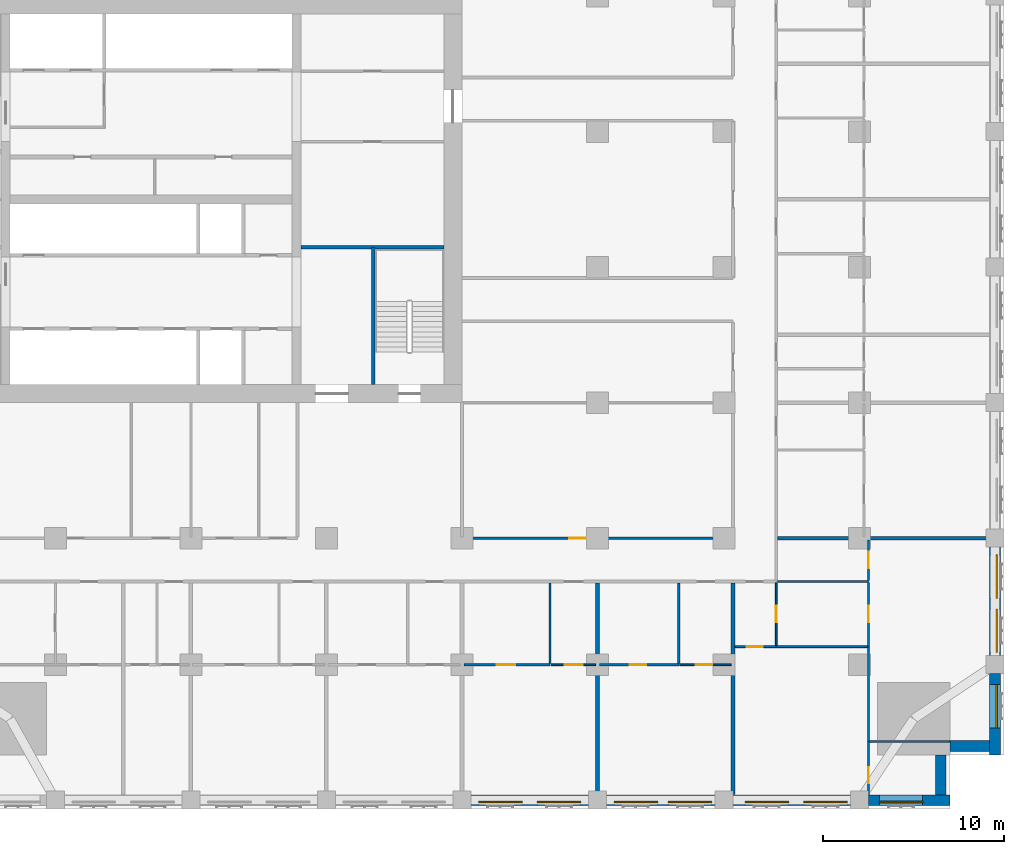
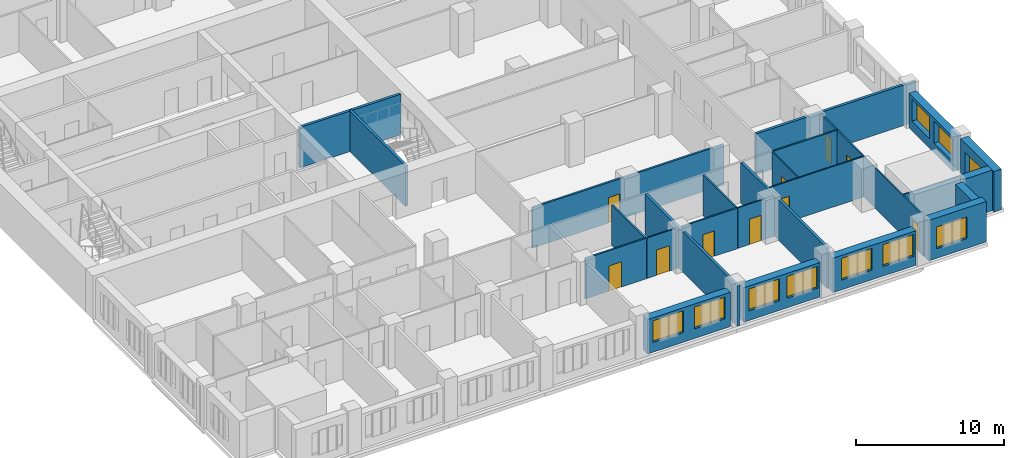
# One storey, part 6 of 14: 26 walls, 10 doors, 10 windows, 20 openings.
"""IFC4 building model written with IfcOpenShell, lengths in metres."""

from ifc_helpers import new_model, si_unit, direction, frame, frame_2d, origin, place, context, subcontext, project, spatial, rectangle, extrude, material, layer, layer_set, type_object, element, fill, save


model = new_model("IFC4")

# Units and contexts
model_context = context("Model", 3, precision=1e-05, world=origin(), true_north=direction((0.0, 1.0)))
body_context = subcontext(model_context, "Body", "Model", "MODEL_VIEW")
ifc_project = project(units=[si_unit("LENGTHUNIT", "METRE"), si_unit("AREAUNIT", "SQUARE_METRE"), si_unit("VOLUMEUNIT", "CUBIC_METRE"), si_unit("PLANEANGLEUNIT", "RADIAN"), si_unit("MASSUNIT", "GRAM", prefix="KILO")], contexts=[model_context])

# Site, building, storey
site_placement = place(None, origin())
site = spatial("IfcSite", under=ifc_project, at=site_placement, CompositionType="ELEMENT")
building_placement = place(site_placement, origin())
building = spatial("IfcBuilding", under=site, at=building_placement, Name="Tamorin Gate", CompositionType="ELEMENT")
storey_placement = place(building_placement, frame((0.0, 0.0, 59.199951171875)))
storey = spatial("IfcBuildingStorey", under=building, at=storey_placement, Name="L13", CompositionType="ELEMENT", Elevation=59.199951171875)

# Wall, openings, windows
ifc_material_1 = material(Name="Precast concrete C40/50", Category="concrete")
ifc_layer_1 = layer(ifc_material_1, 0.60009765625)
ifc_layer_set_1 = layer_set([ifc_layer_1], Name="Precast concrete C40/50")
wall_type_1 = type_object("IfcWallType", Name="Board-marked concrete facade panel 600", PredefinedType="SOLIDWALL", material=ifc_layer_set_1)
wall_1_placement = place(storey_placement, frame((60.5, 38.0, 0.0), z_axis=(0.0, 0.0, 1.0), x_axis=(1.0, 0.0, 0.0)))
wall_1 = element("IfcWall", 1, at=wall_1_placement, inside=storey, type_object=wall_type_1, Name="Facade panel", PredefinedType="SOLIDWALL", context=body_context, shape_type="SweptSolid", body=[
    extrude(rectangle(XDim=6.5, YDim=0.60009765625, at=frame_2d((3.25, 0.0))), origin(), (0.0, 0.0, 1.0), 2.85009765625),
])
opening_1_placement = place(wall_1_placement, frame((0.425048828125, 0.0, 0.800048828125)))
opening_1 = element("IfcOpeningElement", 2, at=opening_1_placement, cuts=wall_1, Name="Opening WN1", PredefinedType="OPENING", context=body_context, shape_type="SweptSolid", body=[
    extrude(rectangle(XDim=2.39990234375, YDim=1.800048828125, at=frame_2d((1.199951171875, 0.89990234375))), frame((0.0, 0.31005859375, 0.0), z_axis=(0.0, -1.0, 0.0), x_axis=(1.0, 0.0, 0.0)), (0.0, 0.0, 1.0), 0.6201171875),
])
opening_2_placement = place(wall_1_placement, frame((3.675048828125, 0.0, 0.800048828125)))
opening_2 = element("IfcOpeningElement", 3, at=opening_2_placement, cuts=wall_1, Name="Opening WN1", PredefinedType="OPENING", context=body_context, shape_type="SweptSolid", body=[
    extrude(rectangle(XDim=2.39990234375, YDim=1.800048828125, at=frame_2d((1.199951171875, 0.89990234375))), frame((0.0, 0.31005859375, 0.0), z_axis=(0.0, -1.0, 0.0), x_axis=(1.0, 0.0, 0.0)), (0.0, 0.0, 1.0), 0.6201171875),
])
ifc_material_2 = material(Name="Clear glass in aluminium frame", Category="aluminium")
window_type = type_object("IfcWindowType", Name="Deep-set window 2400x1800", PartitioningType="SINGLE_PANEL", PredefinedType="WINDOW", material=ifc_material_2)
window_1_placement = place(opening_1_placement, origin())
window_1 = element("IfcWindow", 4, at=window_1_placement, inside=storey, type_object=window_type, Name="Deep-set window", OverallHeight=1.800048828125, OverallWidth=2.39990234375, PartitioningType="SINGLE_PANEL", PredefinedType="WINDOW", context=body_context, shape_type="SweptSolid", body=[
    extrude(rectangle(XDim=2.39990234375, YDim=1.800048828125, at=frame_2d((1.199951171875, 0.89990234375))), frame((0.0, -0.070068359375, 0.0), z_axis=(0.0, -1.0, 0.0), x_axis=(1.0, 0.0, 0.0)), (0.0, 0.0, 1.0), 0.06005859375),
])
fill(opening_1, window_1)
window_2_placement = place(opening_2_placement, origin())
window_2 = element("IfcWindow", 5, at=window_2_placement, inside=storey, type_object=window_type, Name="Deep-set window", OverallHeight=1.800048828125, OverallWidth=2.39990234375, PartitioningType="SINGLE_PANEL", PredefinedType="WINDOW", context=body_context, shape_type="SweptSolid", body=[
    extrude(rectangle(XDim=2.39990234375, YDim=1.800048828125, at=frame_2d((1.199951171875, 0.89990234375))), frame((0.0, -0.070068359375, 0.0), z_axis=(0.0, -1.0, 0.0), x_axis=(1.0, 0.0, 0.0)), (0.0, 0.0, 1.0), 0.06005859375),
])
fill(opening_2, window_2)

wall_2_placement = place(storey_placement, frame((68.0, 38.0, 0.0), z_axis=(0.0, 0.0, 1.0), x_axis=(1.0, 0.0, 0.0)))
wall_2 = element("IfcWall", 6, at=wall_2_placement, inside=storey, type_object=wall_type_1, Name="Facade panel", PredefinedType="SOLIDWALL", context=body_context, shape_type="SweptSolid", body=[
    extrude(rectangle(XDim=6.0, YDim=0.60009765625, at=frame_2d((3.0, 0.0))), origin(), (0.0, 0.0, 1.0), 2.85009765625),
])
opening_3_placement = place(wall_2_placement, frame((0.425048828125, 0.0, 0.800048828125)))
opening_3 = element("IfcOpeningElement", 7, at=opening_3_placement, cuts=wall_2, Name="Opening WN1", PredefinedType="OPENING", context=body_context, shape_type="SweptSolid", body=[
    extrude(rectangle(XDim=2.39990234375, YDim=1.800048828125, at=frame_2d((1.199951171875, 0.89990234375))), frame((0.0, 0.31005859375, 0.0), z_axis=(0.0, -1.0, 0.0), x_axis=(1.0, 0.0, 0.0)), (0.0, 0.0, 1.0), 0.6201171875),
])
opening_4_placement = place(wall_2_placement, frame((3.425048828125, 0.0, 0.800048828125)))
opening_4 = element("IfcOpeningElement", 8, at=opening_4_placement, cuts=wall_2, Name="Opening WN1", PredefinedType="OPENING", context=body_context, shape_type="SweptSolid", body=[
    extrude(rectangle(XDim=2.39990234375, YDim=1.800048828125, at=frame_2d((1.199951171875, 0.89990234375))), frame((0.0, 0.31005859375, 0.0), z_axis=(0.0, -1.0, 0.0), x_axis=(1.0, 0.0, 0.0)), (0.0, 0.0, 1.0), 0.6201171875),
])
window_3_placement = place(opening_3_placement, origin())
window_3 = element("IfcWindow", 9, at=window_3_placement, inside=storey, type_object=window_type, Name="Deep-set window", OverallHeight=1.800048828125, OverallWidth=2.39990234375, PartitioningType="SINGLE_PANEL", PredefinedType="WINDOW", context=body_context, shape_type="SweptSolid", body=[
    extrude(rectangle(XDim=2.39990234375, YDim=1.800048828125, at=frame_2d((1.199951171875, 0.89990234375))), frame((0.0, -0.070068359375, 0.0), z_axis=(0.0, -1.0, 0.0), x_axis=(1.0, 0.0, 0.0)), (0.0, 0.0, 1.0), 0.06005859375),
])
fill(opening_3, window_3)
window_4_placement = place(opening_4_placement, origin())
window_4 = element("IfcWindow", 10, at=window_4_placement, inside=storey, type_object=window_type, Name="Deep-set window", OverallHeight=1.800048828125, OverallWidth=2.39990234375, PartitioningType="SINGLE_PANEL", PredefinedType="WINDOW", context=body_context, shape_type="SweptSolid", body=[
    extrude(rectangle(XDim=2.39990234375, YDim=1.800048828125, at=frame_2d((1.199951171875, 0.89990234375))), frame((0.0, -0.070068359375, 0.0), z_axis=(0.0, -1.0, 0.0), x_axis=(1.0, 0.0, 0.0)), (0.0, 0.0, 1.0), 0.06005859375),
])
fill(opening_4, window_4)

wall_3_placement = place(storey_placement, frame((75.0, 38.0, 0.0), z_axis=(0.0, 0.0, 1.0), x_axis=(1.0, 0.0, 0.0)))
wall_3 = element("IfcWall", 11, at=wall_3_placement, inside=storey, type_object=wall_type_1, Name="Facade panel", PredefinedType="SOLIDWALL", context=body_context, shape_type="SweptSolid", body=[
    extrude(rectangle(XDim=6.5, YDim=0.60009765625, at=frame_2d((3.25, 0.0))), origin(), (0.0, 0.0, 1.0), 2.85009765625),
])
opening_5_placement = place(wall_3_placement, frame((0.675048828125, 0.0, 0.800048828125)))
opening_5 = element("IfcOpeningElement", 12, at=opening_5_placement, cuts=wall_3, Name="Opening WN1", PredefinedType="OPENING", context=body_context, shape_type="SweptSolid", body=[
    extrude(rectangle(XDim=2.39990234375, YDim=1.800048828125, at=frame_2d((1.199951171875, 0.89990234375))), frame((0.0, 0.31005859375, 0.0), z_axis=(0.0, -1.0, 0.0), x_axis=(1.0, 0.0, 0.0)), (0.0, 0.0, 1.0), 0.6201171875),
])
opening_6_placement = place(wall_3_placement, frame((3.925048828125, 0.0, 0.800048828125)))
opening_6 = element("IfcOpeningElement", 13, at=opening_6_placement, cuts=wall_3, Name="Opening WN1", PredefinedType="OPENING", context=body_context, shape_type="SweptSolid", body=[
    extrude(rectangle(XDim=2.39990234375, YDim=1.800048828125, at=frame_2d((1.199951171875, 0.89990234375))), frame((0.0, 0.31005859375, 0.0), z_axis=(0.0, -1.0, 0.0), x_axis=(1.0, 0.0, 0.0)), (0.0, 0.0, 1.0), 0.6201171875),
])
window_5_placement = place(opening_5_placement, origin())
window_5 = element("IfcWindow", 14, at=window_5_placement, inside=storey, type_object=window_type, Name="Deep-set window", OverallHeight=1.800048828125, OverallWidth=2.39990234375, PartitioningType="SINGLE_PANEL", PredefinedType="WINDOW", context=body_context, shape_type="SweptSolid", body=[
    extrude(rectangle(XDim=2.39990234375, YDim=1.800048828125, at=frame_2d((1.199951171875, 0.89990234375))), frame((0.0, -0.070068359375, 0.0), z_axis=(0.0, -1.0, 0.0), x_axis=(1.0, 0.0, 0.0)), (0.0, 0.0, 1.0), 0.06005859375),
])
fill(opening_5, window_5)
window_6_placement = place(opening_6_placement, origin())
window_6 = element("IfcWindow", 15, at=window_6_placement, inside=storey, type_object=window_type, Name="Deep-set window", OverallHeight=1.800048828125, OverallWidth=2.39990234375, PartitioningType="SINGLE_PANEL", PredefinedType="WINDOW", context=body_context, shape_type="SweptSolid", body=[
    extrude(rectangle(XDim=2.39990234375, YDim=1.800048828125, at=frame_2d((1.199951171875, 0.89990234375))), frame((0.0, -0.070068359375, 0.0), z_axis=(0.0, -1.0, 0.0), x_axis=(1.0, 0.0, 0.0)), (0.0, 0.0, 1.0), 0.06005859375),
])
fill(opening_6, window_6)

# Wall, opening, window
wall_4_placement = place(storey_placement, frame((82.5, 38.0, 0.0), z_axis=(0.0, 0.0, 1.0), x_axis=(1.0, 0.0, 0.0)))
wall_4 = element("IfcWall", 16, at=wall_4_placement, inside=storey, type_object=wall_type_1, Name="Facade panel", PredefinedType="SOLIDWALL", context=body_context, shape_type="SweptSolid", body=[
    extrude(rectangle(XDim=4.5, YDim=0.60009765625, at=frame_2d((2.25, 0.0))), origin(), (0.0, 0.0, 1.0), 3.35009765625),
])
opening_7_placement = place(wall_4_placement, frame((0.60009765625, 0.0, 0.800048828125)))
opening_7 = element("IfcOpeningElement", 17, at=opening_7_placement, cuts=wall_4, Name="Opening WN1", PredefinedType="OPENING", context=body_context, shape_type="SweptSolid", body=[
    extrude(rectangle(XDim=2.39990234375, YDim=1.800048828125, at=frame_2d((1.199951171875, 0.89990234375))), frame((0.0, 0.31005859375, 0.0), z_axis=(0.0, -1.0, 0.0), x_axis=(1.0, 0.0, 0.0)), (0.0, 0.0, 1.0), 0.6201171875),
])
window_7_placement = place(opening_7_placement, origin())
window_7 = element("IfcWindow", 18, at=window_7_placement, inside=storey, type_object=window_type, Name="Deep-set window", OverallHeight=1.800048828125, OverallWidth=2.39990234375, PartitioningType="SINGLE_PANEL", PredefinedType="WINDOW", context=body_context, shape_type="SweptSolid", body=[
    extrude(rectangle(XDim=2.39990234375, YDim=1.800048828125, at=frame_2d((1.199951171875, 0.89990234375))), frame((0.0, -0.070068359375, 0.0), z_axis=(0.0, -1.0, 0.0), x_axis=(1.0, 0.0, 0.0)), (0.0, 0.0, 1.0), 0.06005859375),
])
fill(opening_7, window_7)

# Walls
for number, where, z_axis, x_axis, name in (
    (19, (86.5, 38.300048828125, 0.0), (0.0, 0.0, 1.0), (0.0, 1.0, 0.0), "Facade panel"),
    (20, (87.0, 41.0, 0.0), (0.0, 0.0, 1.0), (1.0, 0.0, 0.0), "Facade panel"),
):
    element("IfcWall", number, at=place(storey_placement, frame(where, z_axis=z_axis, x_axis=x_axis)), inside=storey, type_object=wall_type_1, Name=name, PredefinedType="SOLIDWALL", context=body_context, shape_type="SweptSolid", body=[
        extrude(rectangle(XDim=2.199951171875, YDim=0.60009765625, at=frame_2d((1.10009765625, 0.0))), origin(), (0.0, 0.0, 1.0), 3.35009765625),
    ])

# Wall, opening, window
wall_5_placement = place(storey_placement, frame((89.5, 40.5, 0.0), z_axis=(0.0, 0.0, 1.0), x_axis=(0.0, 1.0, 0.0)))
wall_5 = element("IfcWall", 21, at=wall_5_placement, inside=storey, type_object=wall_type_1, Name="Facade panel", PredefinedType="SOLIDWALL", context=body_context, shape_type="SweptSolid", body=[
    extrude(rectangle(XDim=4.5, YDim=0.60009765625, at=frame_2d((2.25, 0.0))), origin(), (0.0, 0.0, 1.0), 3.35009765625),
])
opening_8_placement = place(wall_5_placement, frame((1.5, 0.0, 0.800048828125)))
opening_8 = element("IfcOpeningElement", 22, at=opening_8_placement, cuts=wall_5, Name="Opening WN1", PredefinedType="OPENING", context=body_context, shape_type="SweptSolid", body=[
    extrude(rectangle(XDim=2.39990234375, YDim=1.800048828125, at=frame_2d((1.199951171875, 0.89990234375))), frame((0.0, 0.31005859375, 0.0), z_axis=(0.0, -1.0, 0.0), x_axis=(1.0, 0.0, 0.0)), (0.0, 0.0, 1.0), 0.6201171875),
])
window_8_placement = place(opening_8_placement, origin())
window_8 = element("IfcWindow", 23, at=window_8_placement, inside=storey, type_object=window_type, Name="Deep-set window", OverallHeight=1.800048828125, OverallWidth=2.39990234375, PartitioningType="SINGLE_PANEL", PredefinedType="WINDOW", context=body_context, shape_type="SweptSolid", body=[
    extrude(rectangle(XDim=2.39990234375, YDim=1.800048828125, at=frame_2d((1.199951171875, 0.89990234375))), frame((0.0, -0.070068359375, 0.0), z_axis=(0.0, -1.0, 0.0), x_axis=(1.0, 0.0, 0.0)), (0.0, 0.0, 1.0), 0.06005859375),
])
fill(opening_8, window_8)

# Wall, openings, windows
wall_6_placement = place(storey_placement, frame((89.5, 46.0, 0.0), z_axis=(0.0, 0.0, 1.0), x_axis=(0.0, 1.0, 0.0)))
wall_6 = element("IfcWall", 24, at=wall_6_placement, inside=storey, type_object=wall_type_1, Name="Facade panel", PredefinedType="SOLIDWALL", context=body_context, shape_type="SweptSolid", body=[
    extrude(rectangle(XDim=6.0, YDim=0.60009765625, at=frame_2d((3.0, 0.0))), origin(), (0.0, 0.0, 1.0), 2.85009765625),
])
opening_9_placement = place(wall_6_placement, frame((0.175048828125, 0.0, 0.800048828125)))
opening_9 = element("IfcOpeningElement", 25, at=opening_9_placement, cuts=wall_6, Name="Opening WN1", PredefinedType="OPENING", context=body_context, shape_type="SweptSolid", body=[
    extrude(rectangle(XDim=2.39990234375, YDim=1.800048828125, at=frame_2d((1.199951171875, 0.89990234375))), frame((0.0, 0.31005859375, 0.0), z_axis=(0.0, -1.0, 0.0), x_axis=(1.0, 0.0, 0.0)), (0.0, 0.0, 1.0), 0.6201171875),
])
opening_10_placement = place(wall_6_placement, frame((3.175048828125, 0.0, 0.800048828125)))
opening_10 = element("IfcOpeningElement", 26, at=opening_10_placement, cuts=wall_6, Name="Opening WN1", PredefinedType="OPENING", context=body_context, shape_type="SweptSolid", body=[
    extrude(rectangle(XDim=2.39990234375, YDim=1.800048828125, at=frame_2d((1.199951171875, 0.89990234375))), frame((0.0, 0.31005859375, 0.0), z_axis=(0.0, -1.0, 0.0), x_axis=(1.0, 0.0, 0.0)), (0.0, 0.0, 1.0), 0.6201171875),
])
window_9_placement = place(opening_9_placement, origin())
window_9 = element("IfcWindow", 27, at=window_9_placement, inside=storey, type_object=window_type, Name="Deep-set window", OverallHeight=1.800048828125, OverallWidth=2.39990234375, PartitioningType="SINGLE_PANEL", PredefinedType="WINDOW", context=body_context, shape_type="SweptSolid", body=[
    extrude(rectangle(XDim=2.39990234375, YDim=1.800048828125, at=frame_2d((1.199951171875, 0.89990234375))), frame((0.0, -0.070068359375, 0.0), z_axis=(0.0, -1.0, 0.0), x_axis=(1.0, 0.0, 0.0)), (0.0, 0.0, 1.0), 0.06005859375),
])
fill(opening_9, window_9)
window_10_placement = place(opening_10_placement, origin())
window_10 = element("IfcWindow", 28, at=window_10_placement, inside=storey, type_object=window_type, Name="Deep-set window", OverallHeight=1.800048828125, OverallWidth=2.39990234375, PartitioningType="SINGLE_PANEL", PredefinedType="WINDOW", context=body_context, shape_type="SweptSolid", body=[
    extrude(rectangle(XDim=2.39990234375, YDim=1.800048828125, at=frame_2d((1.199951171875, 0.89990234375))), frame((0.0, -0.070068359375, 0.0), z_axis=(0.0, -1.0, 0.0), x_axis=(1.0, 0.0, 0.0)), (0.0, 0.0, 1.0), 0.06005859375),
])
fill(opening_10, window_10)

# Wall, opening, door
ifc_material_3 = material(Name="Gypsum board partition")
ifc_layer_2 = layer(ifc_material_3, 0.14990234375)
ifc_layer_set_2 = layer_set([ifc_layer_2], Name="Corridor wall 150")
wall_type_2 = type_object("IfcWallType", Name="Corridor wall 150", PredefinedType="PARTITIONING", material=ifc_layer_set_2)
wall_7_placement = place(storey_placement, frame((60.0, 52.5, 0.0), z_axis=(0.0, 0.0, 1.0), x_axis=(1.0, 0.0, 0.0)))
wall_7 = element("IfcWall", 29, at=wall_7_placement, inside=storey, type_object=wall_type_2, Name="Corridor wall 150", PredefinedType="PARTITIONING", context=body_context, shape_type="SweptSolid", body=[
    extrude(rectangle(XDim=15.0, YDim=0.14990234375, at=frame_2d((7.5, 0.0))), origin(), (0.0, 0.0, 1.0), 3.35009765625),
])
opening_11_placement = place(wall_7_placement, frame((5.949951171875, 0.0, 0.0)))
opening_11 = element("IfcOpeningElement", 30, at=opening_11_placement, cuts=wall_7, Name="Opening DH4076", PredefinedType="OPENING", context=body_context, shape_type="SweptSolid", body=[
    extrude(rectangle(XDim=0.89990234375, YDim=2.10009765625, at=frame_2d((0.449951171875, 1.050048828125))), frame((0.0, 0.0849609375, 0.0), z_axis=(0.0, -1.0, 0.0), x_axis=(1.0, 0.0, 0.0)), (0.0, 0.0, 1.0), 0.169921875),
])
ifc_material_4 = material(Name="Timber door leaf", Category="wood")
door_type_1 = type_object("IfcDoorType", Name="Door 900 x 2100 FD30S", OperationType="NOTDEFINED", PredefinedType="DOOR", material=ifc_material_4)
door_1_placement = place(opening_11_placement, origin())
door_1 = element("IfcDoor", 31, at=door_1_placement, inside=storey, type_object=door_type_1, Name="Door DH4076", OperationType="SINGLE_SWING_LEFT", OverallHeight=2.10009765625, OverallWidth=0.89990234375, PredefinedType="DOOR", context=body_context, shape_type="SweptSolid", body=[
    extrude(rectangle(XDim=0.89990234375, YDim=2.10009765625, at=frame_2d((0.449951171875, 1.050048828125))), frame((0.0, 0.02490234375, 0.0), z_axis=(0.0, -1.0, 0.0), x_axis=(1.0, 0.0, 0.0)), (0.0, 0.0, 1.0), 0.050048828125),
])
fill(opening_11, door_1)

# Walls
ifc_layer_3 = layer(ifc_material_3, 0.199951171875)
ifc_layer_set_3 = layer_set([ifc_layer_3], Name="Demising wall 200")
wall_type_3 = type_object("IfcWallType", Name="Demising wall 200", PredefinedType="PARTITIONING", material=ifc_layer_set_3)
for number, where, z_axis, x_axis, name in (
    (32, (77.47509765625, 52.5, 0.0), (0.0, 0.0, 1.0), (1.0, 0.0, 0.0), "Demising wall 200"),
    (33, (67.5, 37.5, 0.0), (0.0, 0.0, 1.0), (0.0, 1.0, 0.0), "Demising wall 200"),
):
    element("IfcWall", number, at=place(storey_placement, frame(where, z_axis=z_axis, x_axis=x_axis)), inside=storey, type_object=wall_type_3, Name=name, PredefinedType="PARTITIONING", context=body_context, shape_type="SweptSolid", body=[
        extrude(rectangle(XDim=12.52490234375, YDim=0.199951171875, at=frame_2d((6.262451171875, 0.0))), origin(), (0.0, 0.0, 1.0), 3.35009765625),
    ])
wall_8_placement = place(storey_placement, frame((75.0, 38.31005859375, 0.0), z_axis=(0.0, 0.0, 1.0), x_axis=(0.0, 1.0, 0.0)))
element("IfcWall", 34, at=wall_8_placement, inside=storey, type_object=wall_type_3, Name="Demising wall 200", PredefinedType="PARTITIONING", context=body_context, shape_type="SweptSolid", body=[
    extrude(rectangle(XDim=11.71484375, YDim=0.199951171875, at=frame_2d((5.857421875, 0.0))), origin(), (0.0, 0.0, 1.0), 3.35009765625),
])
ifc_layer_4 = layer(ifc_material_3, 0.10009765625)
ifc_layer_set_4 = layer_set([ifc_layer_4], Name="Room partition 100")
wall_type_4 = type_object("IfcWallType", Name="Room partition 100", PredefinedType="PARTITIONING", material=ifc_layer_set_4)
wall_9_placement = place(storey_placement, frame((82.550048828125, 41.25, 0.0), z_axis=(0.0, 0.0, 1.0), x_axis=(1.0, 0.0, 0.0)))
element("IfcWall", 35, at=wall_9_placement, inside=storey, type_object=wall_type_4, Name="Room partition 100", PredefinedType="PARTITIONING", context=body_context, shape_type="SweptSolid", body=[
    extrude(rectangle(XDim=4.43994140625, YDim=0.10009765625, at=frame_2d((2.219970703125, 0.0))), origin(), (0.0, 0.0, 1.0), 3.35009765625),
])

# Wall, opening, door
wall_10_placement = place(storey_placement, frame((64.9375, 45.5, 0.0), z_axis=(0.0, 0.0, 1.0), x_axis=(1.0, 0.0, 0.0)))
wall_10 = element("IfcWall", 36, at=wall_10_placement, inside=storey, type_object=wall_type_4, Name="Room partition 100", PredefinedType="PARTITIONING", context=body_context, shape_type="SweptSolid", body=[
    extrude(rectangle(XDim=2.46240234375, YDim=0.10009765625, at=frame_2d((1.231201171875, 0.0))), origin(), (0.0, 0.0, 1.0), 3.35009765625),
])
opening_12_placement = place(wall_10_placement, frame((0.75, 0.0, 0.0)))
opening_12 = element("IfcOpeningElement", 37, at=opening_12_placement, cuts=wall_10, Name="Opening DH4016", PredefinedType="OPENING", context=body_context, shape_type="SweptSolid", body=[
    extrude(rectangle(XDim=1.0, YDim=2.10009765625, at=frame_2d((0.5, 1.050048828125))), frame((0.0, 0.06005859375, 0.0), z_axis=(0.0, -1.0, 0.0), x_axis=(1.0, 0.0, 0.0)), (0.0, 0.0, 1.0), 0.1201171875),
])
door_type_2 = type_object("IfcDoorType", Name="Door 1000 x 2100", OperationType="NOTDEFINED", PredefinedType="DOOR", material=ifc_material_4)
door_2_placement = place(opening_12_placement, origin())
door_2 = element("IfcDoor", 38, at=door_2_placement, inside=storey, type_object=door_type_2, Name="Door DH4016", OperationType="SINGLE_SWING_LEFT", OverallHeight=2.10009765625, OverallWidth=1.0, PredefinedType="DOOR", context=body_context, shape_type="SweptSolid", body=[
    extrude(rectangle(XDim=1.0, YDim=2.10009765625, at=frame_2d((0.5, 1.050048828125))), frame((0.0, 0.02490234375, 0.0), z_axis=(0.0, -1.0, 0.0), x_axis=(1.0, 0.0, 0.0)), (0.0, 0.0, 1.0), 0.050048828125),
])
fill(opening_12, door_2)

wall_11_placement = place(storey_placement, frame((72.0625, 45.5, 0.0), z_axis=(0.0, 0.0, 1.0), x_axis=(1.0, 0.0, 0.0)))
wall_11 = element("IfcWall", 39, at=wall_11_placement, inside=storey, type_object=wall_type_4, Name="Room partition 100", PredefinedType="PARTITIONING", context=body_context, shape_type="SweptSolid", body=[
    extrude(rectangle(XDim=2.83740234375, YDim=0.10009765625, at=frame_2d((1.418701171875, 0.0))), origin(), (0.0, 0.0, 1.0), 3.35009765625),
])
opening_13_placement = place(wall_11_placement, frame((0.887451171875, 0.0, 0.0)))
opening_13 = element("IfcOpeningElement", 40, at=opening_13_placement, cuts=wall_11, Name="Opening DH4019", PredefinedType="OPENING", context=body_context, shape_type="SweptSolid", body=[
    extrude(rectangle(XDim=0.89990234375, YDim=2.10009765625, at=frame_2d((0.449951171875, 1.050048828125))), frame((0.0, 0.06005859375, 0.0), z_axis=(0.0, -1.0, 0.0), x_axis=(1.0, 0.0, 0.0)), (0.0, 0.0, 1.0), 0.1201171875),
])
door_type_3 = type_object("IfcDoorType", Name="Door 900 x 2100", OperationType="NOTDEFINED", PredefinedType="DOOR", material=ifc_material_4)
door_3_placement = place(opening_13_placement, origin())
door_3 = element("IfcDoor", 41, at=door_3_placement, inside=storey, type_object=door_type_3, Name="Door DH4019", OperationType="SINGLE_SWING_LEFT", OverallHeight=2.10009765625, OverallWidth=0.89990234375, PredefinedType="DOOR", context=body_context, shape_type="SweptSolid", body=[
    extrude(rectangle(XDim=0.89990234375, YDim=2.10009765625, at=frame_2d((0.449951171875, 1.050048828125))), frame((0.0, 0.02490234375, 0.0), z_axis=(0.0, -1.0, 0.0), x_axis=(1.0, 0.0, 0.0)), (0.0, 0.0, 1.0), 0.050048828125),
])
fill(opening_13, door_3)

wall_12_placement = place(storey_placement, frame((75.10009765625, 46.5, 0.0), z_axis=(0.0, 0.0, 1.0), x_axis=(1.0, 0.0, 0.0)))
wall_12 = element("IfcWall", 42, at=wall_12_placement, inside=storey, type_object=wall_type_4, Name="Room partition 100", PredefinedType="PARTITIONING", context=body_context, shape_type="SweptSolid", body=[
    extrude(rectangle(XDim=7.349853515625, YDim=0.10009765625, at=frame_2d((3.6748046875, 0.0))), origin(), (0.0, 0.0, 1.0), 3.35009765625),
])
opening_14_placement = place(wall_12_placement, frame((0.64990234375, 0.0, 0.0)))
opening_14 = element("IfcOpeningElement", 43, at=opening_14_placement, cuts=wall_12, Name="Opening DH4061", PredefinedType="OPENING", context=body_context, shape_type="SweptSolid", body=[
    extrude(rectangle(XDim=0.89990234375, YDim=2.10009765625, at=frame_2d((0.449951171875, 1.050048828125))), frame((0.0, 0.06005859375, 0.0), z_axis=(0.0, -1.0, 0.0), x_axis=(1.0, 0.0, 0.0)), (0.0, 0.0, 1.0), 0.1201171875),
])
door_4_placement = place(opening_14_placement, origin())
door_4 = element("IfcDoor", 44, at=door_4_placement, inside=storey, type_object=door_type_3, Name="Door DH4061", OperationType="SINGLE_SWING_RIGHT", OverallHeight=2.10009765625, OverallWidth=0.89990234375, PredefinedType="DOOR", context=body_context, shape_type="SweptSolid", body=[
    extrude(rectangle(XDim=0.89990234375, YDim=2.10009765625, at=frame_2d((0.449951171875, 1.050048828125))), frame((0.0, 0.02490234375, 0.0), z_axis=(0.0, -1.0, 0.0), x_axis=(1.0, 0.0, 0.0)), (0.0, 0.0, 1.0), 0.050048828125),
])
fill(opening_14, door_4)

wall_13_placement = place(storey_placement, frame((77.39990234375, 46.550048828125, 0.0), z_axis=(0.0, 0.0, 1.0), x_axis=(0.0, 1.0, 0.0)))
wall_13 = element("IfcWall", 45, at=wall_13_placement, inside=storey, type_object=wall_type_4, Name="Room partition 100", PredefinedType="PARTITIONING", context=body_context, shape_type="SweptSolid", body=[
    extrude(rectangle(XDim=3.474853515625, YDim=0.10009765625, at=frame_2d((1.7373046875, 0.0))), origin(), (0.0, 0.0, 1.0), 3.35009765625),
])
opening_15_placement = place(wall_13_placement, frame((1.300048828125, 0.0, 0.0)))
opening_15 = element("IfcOpeningElement", 46, at=opening_15_placement, cuts=wall_13, Name="Opening DH4062", PredefinedType="OPENING", context=body_context, shape_type="SweptSolid", body=[
    extrude(rectangle(XDim=0.89990234375, YDim=2.10009765625, at=frame_2d((0.449951171875, 1.050048828125))), frame((0.0, 0.06005859375, 0.0), z_axis=(0.0, -1.0, 0.0), x_axis=(1.0, 0.0, 0.0)), (0.0, 0.0, 1.0), 0.1201171875),
])
door_5_placement = place(opening_15_placement, origin())
door_5 = element("IfcDoor", 47, at=door_5_placement, inside=storey, type_object=door_type_3, Name="Door DH4062", OperationType="SINGLE_SWING_RIGHT", OverallHeight=2.10009765625, OverallWidth=0.89990234375, PredefinedType="DOOR", context=body_context, shape_type="SweptSolid", body=[
    extrude(rectangle(XDim=0.89990234375, YDim=2.10009765625, at=frame_2d((0.449951171875, 1.050048828125))), frame((0.0, 0.02490234375, 0.0), z_axis=(0.0, -1.0, 0.0), x_axis=(1.0, 0.0, 0.0)), (0.0, 0.0, 1.0), 0.050048828125),
])
fill(opening_15, door_5)

# Wall, openings, doors
wall_14_placement = place(storey_placement, frame((82.5, 38.31005859375, 0.0), z_axis=(0.0, 0.0, 1.0), x_axis=(0.0, 1.0, 0.0)))
wall_14 = element("IfcWall", 48, at=wall_14_placement, inside=storey, type_object=wall_type_4, Name="Room partition 100", PredefinedType="PARTITIONING", context=body_context, shape_type="SweptSolid", body=[
    extrude(rectangle(XDim=11.7275390625, YDim=0.10009765625, at=frame_2d((5.86376953125, 0.0))), origin(), (0.0, 0.0, 1.0), 3.35009765625),
])
opening_16_placement = place(wall_14_placement, frame((0.614990234375, 0.0, 0.0)))
opening_16 = element("IfcOpeningElement", 49, at=opening_16_placement, cuts=wall_14, Name="Opening DH4063", PredefinedType="OPENING", context=body_context, shape_type="SweptSolid", body=[
    extrude(rectangle(XDim=0.89990234375, YDim=2.10009765625, at=frame_2d((0.449951171875, 1.050048828125))), frame((0.0, 0.06005859375, 0.0), z_axis=(0.0, -1.0, 0.0), x_axis=(1.0, 0.0, 0.0)), (0.0, 0.0, 1.0), 0.1201171875),
])
opening_17_placement = place(wall_14_placement, frame((9.5400390625, 0.0, 0.0)))
opening_17 = element("IfcOpeningElement", 50, at=opening_17_placement, cuts=wall_14, Name="Opening DH4064", PredefinedType="OPENING", context=body_context, shape_type="SweptSolid", body=[
    extrude(rectangle(XDim=0.89990234375, YDim=2.10009765625, at=frame_2d((0.449951171875, 1.050048828125))), frame((0.0, 0.06005859375, 0.0), z_axis=(0.0, -1.0, 0.0), x_axis=(1.0, 0.0, 0.0)), (0.0, 0.0, 1.0), 0.1201171875),
])
door_6_placement = place(opening_16_placement, origin())
door_6 = element("IfcDoor", 51, at=door_6_placement, inside=storey, type_object=door_type_3, Name="Door DH4063", OperationType="SINGLE_SWING_LEFT", OverallHeight=2.10009765625, OverallWidth=0.89990234375, PredefinedType="DOOR", context=body_context, shape_type="SweptSolid", body=[
    extrude(rectangle(XDim=0.89990234375, YDim=2.10009765625, at=frame_2d((0.449951171875, 1.050048828125))), frame((0.0, 0.02490234375, 0.0), z_axis=(0.0, -1.0, 0.0), x_axis=(1.0, 0.0, 0.0)), (0.0, 0.0, 1.0), 0.050048828125),
])
fill(opening_16, door_6)
door_7_placement = place(opening_17_placement, origin())
door_7 = element("IfcDoor", 52, at=door_7_placement, inside=storey, type_object=door_type_3, Name="Door DH4064", OperationType="SINGLE_SWING_RIGHT", OverallHeight=2.10009765625, OverallWidth=0.89990234375, PredefinedType="DOOR", context=body_context, shape_type="SweptSolid", body=[
    extrude(rectangle(XDim=0.89990234375, YDim=2.10009765625, at=frame_2d((0.449951171875, 1.050048828125))), frame((0.0, 0.02490234375, 0.0), z_axis=(0.0, -1.0, 0.0), x_axis=(1.0, 0.0, 0.0)), (0.0, 0.0, 1.0), 0.050048828125),
])
fill(opening_17, door_7)

# Walls
ifc_material_5 = material(Name="Concrete C40/50", Category="concrete")
ifc_layer_5 = layer(ifc_material_5, 0.199951171875)
ifc_layer_set_5 = layer_set([ifc_layer_5], Name="Stair enclosure wall 200 EI 120 C40/50")
wall_type_5 = type_object("IfcWallType", Name="Stair enclosure wall 200 EI 120 C40/50", PredefinedType="SOLIDWALL", material=ifc_layer_set_5)
wall_15_placement = place(storey_placement, frame((55.10009765625, 61.0, 0.0), z_axis=(0.0, 0.0, 1.0), x_axis=(0.0, 1.0, 0.0)))
element("IfcWall", 53, at=wall_15_placement, inside=storey, type_object=wall_type_5, Name="Stair enclosure wall", PredefinedType="SOLIDWALL", context=body_context, shape_type="SweptSolid", body=[
    extrude(rectangle(XDim=7.60009765625, YDim=0.199951171875, at=frame_2d((3.800048828125, 0.0))), origin(), (0.0, 0.0, 1.0), 3.35009765625),
])
wall_16_placement = place(storey_placement, frame((51.10009765625, 68.60009765625, 0.0), z_axis=(0.0, 0.0, 1.0), x_axis=(1.0, 0.0, 0.0)))
element("IfcWall", 54, at=wall_16_placement, inside=storey, type_object=wall_type_5, Name="Stair enclosure wall", PredefinedType="SOLIDWALL", context=body_context, shape_type="SweptSolid", body=[
    extrude(rectangle(XDim=7.89990234375, YDim=0.199951171875, at=frame_2d((3.949951171875, 0.0))), origin(), (0.0, 0.0, 1.0), 3.35009765625),
])

# Wall, opening, door
ifc_layer_6 = layer(ifc_material_3, 0.125)
ifc_layer_set_6 = layer_set([ifc_layer_6], Name="Wet wall 125")
wall_type_6 = type_object("IfcWallType", Name="Wet wall 125", PredefinedType="PARTITIONING", material=ifc_layer_set_6)
wall_17_placement = place(storey_placement, frame((60.10009765625, 45.5, 0.0), z_axis=(0.0, 0.0, 1.0), x_axis=(1.0, 0.0, 0.0)))
wall_17 = element("IfcWall", 55, at=wall_17_placement, inside=storey, type_object=wall_type_6, Name="Wet wall 125", PredefinedType="PARTITIONING", context=body_context, shape_type="SweptSolid", body=[
    extrude(rectangle(XDim=4.77490234375, YDim=0.125, at=frame_2d((2.387451171875, 0.0))), origin(), (0.0, 0.0, 1.0), 3.35009765625),
])
opening_18_placement = place(wall_17_placement, frame((1.83740234375, 0.0, 0.0)))
opening_18 = element("IfcOpeningElement", 56, at=opening_18_placement, cuts=wall_17, Name="Opening DH4014", PredefinedType="OPENING", context=body_context, shape_type="SweptSolid", body=[
    extrude(rectangle(XDim=1.0, YDim=2.10009765625, at=frame_2d((0.5, 1.050048828125))), frame((0.0, 0.072509765625, 0.0), z_axis=(0.0, -1.0, 0.0), x_axis=(1.0, 0.0, 0.0)), (0.0, 0.0, 1.0), 0.14501953125),
])
door_8_placement = place(opening_18_placement, origin())
door_8 = element("IfcDoor", 57, at=door_8_placement, inside=storey, type_object=door_type_2, Name="Door DH4014", OperationType="SINGLE_SWING_LEFT", OverallHeight=2.10009765625, OverallWidth=1.0, PredefinedType="DOOR", context=body_context, shape_type="SweptSolid", body=[
    extrude(rectangle(XDim=1.0, YDim=2.10009765625, at=frame_2d((0.5, 1.050048828125))), frame((0.0, 0.02490234375, 0.0), z_axis=(0.0, -1.0, 0.0), x_axis=(1.0, 0.0, 0.0)), (0.0, 0.0, 1.0), 0.050048828125),
])
fill(opening_18, door_8)

wall_18_placement = place(storey_placement, frame((67.60009765625, 45.5, 0.0), z_axis=(0.0, 0.0, 1.0), x_axis=(1.0, 0.0, 0.0)))
wall_18 = element("IfcWall", 58, at=wall_18_placement, inside=storey, type_object=wall_type_6, Name="Wet wall 125", PredefinedType="PARTITIONING", context=body_context, shape_type="SweptSolid", body=[
    extrude(rectangle(XDim=4.39990234375, YDim=0.125, at=frame_2d((2.199951171875, 0.0))), origin(), (0.0, 0.0, 1.0), 3.35009765625),
])
opening_19_placement = place(wall_18_placement, frame((1.699951171875, 0.0, 0.0)))
opening_19 = element("IfcOpeningElement", 59, at=opening_19_placement, cuts=wall_18, Name="Opening DH4017", PredefinedType="OPENING", context=body_context, shape_type="SweptSolid", body=[
    extrude(rectangle(XDim=0.89990234375, YDim=2.10009765625, at=frame_2d((0.449951171875, 1.050048828125))), frame((0.0, 0.072509765625, 0.0), z_axis=(0.0, -1.0, 0.0), x_axis=(1.0, 0.0, 0.0)), (0.0, 0.0, 1.0), 0.14501953125),
])
door_9_placement = place(opening_19_placement, origin())
door_9 = element("IfcDoor", 60, at=door_9_placement, inside=storey, type_object=door_type_3, Name="Door DH4017", OperationType="SINGLE_SWING_LEFT", OverallHeight=2.10009765625, OverallWidth=0.89990234375, PredefinedType="DOOR", context=body_context, shape_type="SweptSolid", body=[
    extrude(rectangle(XDim=0.89990234375, YDim=2.10009765625, at=frame_2d((0.449951171875, 1.050048828125))), frame((0.0, 0.02490234375, 0.0), z_axis=(0.0, -1.0, 0.0), x_axis=(1.0, 0.0, 0.0)), (0.0, 0.0, 1.0), 0.050048828125),
])
fill(opening_19, door_9)

# Walls
wall_19_placement = place(storey_placement, frame((77.47509765625, 50.10009765625, 0.0), z_axis=(0.0, 0.0, 1.0), x_axis=(1.0, 0.0, 0.0)))
element("IfcWall", 61, at=wall_19_placement, inside=storey, type_object=wall_type_6, Name="Wet wall 125", PredefinedType="PARTITIONING", context=body_context, shape_type="SweptSolid", body=[
    extrude(rectangle(XDim=5.02490234375, YDim=0.125, at=frame_2d((2.512451171875, 0.0))), origin(), (0.0, 0.0, 1.0), 3.35009765625),
])
for number, where, z_axis, x_axis, name in (
    (62, (64.875, 45.5625, 0.0), (0.0, 0.0, 1.0), (0.0, 1.0, 0.0), "Wet wall 125"),
    (63, (72.0, 45.5625, 0.0), (0.0, 0.0, 1.0), (0.0, 1.0, 0.0), "Wet wall 125"),
):
    element("IfcWall", number, at=place(storey_placement, frame(where, z_axis=z_axis, x_axis=x_axis)), inside=storey, type_object=wall_type_6, Name=name, PredefinedType="PARTITIONING", context=body_context, shape_type="SweptSolid", body=[
        extrude(rectangle(XDim=4.46240234375, YDim=0.125, at=frame_2d((2.231201171875, 0.0))), origin(), (0.0, 0.0, 1.0), 3.35009765625),
    ])

# Wall, opening, door
wall_20_placement = place(storey_placement, frame((82.5, 50.16259765625, 0.0), z_axis=(0.0, 0.0, 1.0), x_axis=(0.0, 1.0, 0.0)))
wall_20 = element("IfcWall", 64, at=wall_20_placement, inside=storey, type_object=wall_type_6, Name="Wet wall 125", PredefinedType="PARTITIONING", context=body_context, shape_type="SweptSolid", body=[
    extrude(rectangle(XDim=2.2373046875, YDim=0.125, at=frame_2d((1.11865234375, 0.0))), origin(), (0.0, 0.0, 1.0), 3.35009765625),
])
opening_20_placement = place(wall_20_placement, frame((0.6875, 0.0, 0.0)))
opening_20 = element("IfcOpeningElement", 65, at=opening_20_placement, cuts=wall_20, Name="Opening DH4065", PredefinedType="OPENING", context=body_context, shape_type="SweptSolid", body=[
    extrude(rectangle(XDim=0.89990234375, YDim=2.10009765625, at=frame_2d((0.449951171875, 1.050048828125))), frame((0.0, 0.072509765625, 0.0), z_axis=(0.0, -1.0, 0.0), x_axis=(1.0, 0.0, 0.0)), (0.0, 0.0, 1.0), 0.14501953125),
])
door_10_placement = place(opening_20_placement, origin())
door_10 = element("IfcDoor", 66, at=door_10_placement, inside=storey, type_object=door_type_3, Name="Door DH4065", OperationType="SINGLE_SWING_LEFT", OverallHeight=2.10009765625, OverallWidth=0.89990234375, PredefinedType="DOOR", context=body_context, shape_type="SweptSolid", body=[
    extrude(rectangle(XDim=0.89990234375, YDim=2.10009765625, at=frame_2d((0.449951171875, 1.050048828125))), frame((0.0, 0.02490234375, 0.0), z_axis=(0.0, -1.0, 0.0), x_axis=(1.0, 0.0, 0.0)), (0.0, 0.0, 1.0), 0.050048828125),
])
fill(opening_20, door_10)

save(model, "model.ifc")
